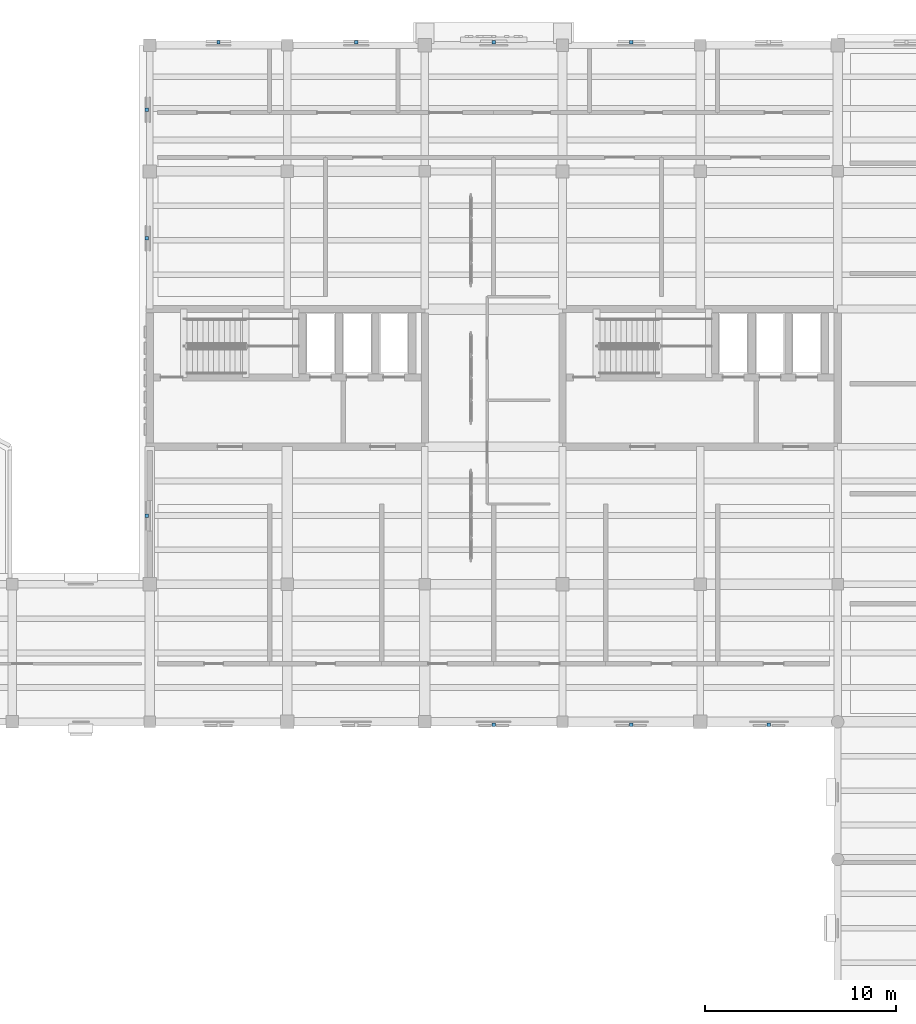
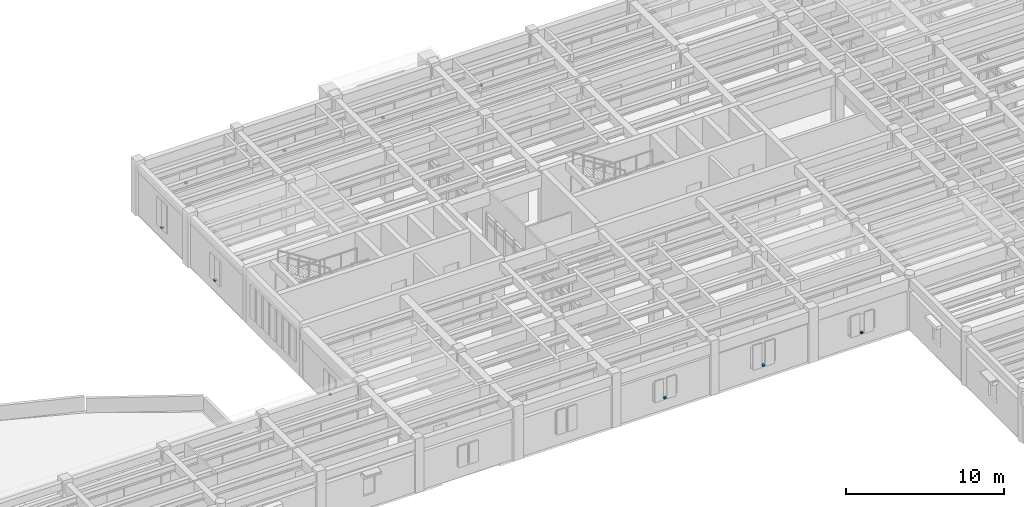
# One storey, part 57 of 66: 10 discrete accessories.
"""IFC4 building model written with IfcOpenShell, lengths in metres."""

from ifc_helpers import new_model, si_unit, direction, frame, origin, origin_2d, place, context, subcontext, project, spatial, rectangle, extrude, material, type_object, element, save


model = new_model("IFC4")

# Units and contexts
model_context = context("Model", 3, precision=1e-05, world=origin(), true_north=direction((0.0, 1.0)))
body_context = subcontext(model_context, "Body", "Model", "MODEL_VIEW")
ifc_project = project(units=[si_unit("LENGTHUNIT", "METRE"), si_unit("AREAUNIT", "SQUARE_METRE"), si_unit("VOLUMEUNIT", "CUBIC_METRE"), si_unit("PLANEANGLEUNIT", "RADIAN"), si_unit("MASSUNIT", "GRAM", prefix="KILO")], contexts=[model_context])

# Site, building, storey
site_placement = place(None, origin())
site = spatial("IfcSite", under=ifc_project, at=site_placement, CompositionType="ELEMENT")
building_placement = place(site_placement, origin())
building = spatial("IfcBuilding", under=site, at=building_placement, Name="Mithqara Police Headquarters", CompositionType="ELEMENT")
storey_placement = place(building_placement, frame((0.0, 0.0, 9.60009765625)))
storey = spatial("IfcBuildingStorey", under=building, at=storey_placement, Name="L02", CompositionType="ELEMENT", Elevation=9.60009765625)

# Discrete accessories
ifc_material = material(Name="Steel S355JR", Category="steel")
discrete_accessory_type = type_object("IfcDiscreteAccessoryType", Name="SCREEN BRACKET SS", PredefinedType="BRACKET", material=ifc_material)
for number, where, z_axis, x_axis, name in (
    (1, (112.199951171875, 114.14990234375, 0.849853515625), (0.0, 0.0, 1.0), (1.0, 0.0, 0.0), "L02 Stone Screen Support Bracket 10.1"),
    (2, (119.39990234375, 114.14990234375, 0.849853515625), (0.0, 0.0, 1.0), (1.0, 0.0, 0.0), "L02 Stone Screen Support Bracket 10.2"),
    (3, (126.60009765625, 114.14990234375, 0.849853515625), (0.0, 0.0, 1.0), (1.0, 0.0, 0.0), "L02 Stone Screen Support Bracket 10.3"),
    (4, (133.800048828125, 114.14990234375, 0.849853515625), (0.0, 0.0, 1.0), (1.0, 0.0, 0.0), "L02 Stone Screen Support Bracket 10.4"),
    (5, (108.449951171875, 103.89501953125, 0.849853515625), (0.0, 0.0, 1.0), (0.0, 1.0, 0.0), "L02 Stone Screen Support Bracket 11.1"),
    (6, (108.449951171875, 110.625, 0.849853515625), (0.0, 0.0, 1.0), (0.0, 1.0, 0.0), "L02 Stone Screen Support Bracket 11.2"),
    (7, (108.449951171875, 89.3798828125, 0.849853515625), (0.0, 0.0, 1.0), (0.0, 1.0, 0.0), "L02 Stone Screen Support Bracket 11.1"),
    (8, (126.60009765625, 78.449951171875, 0.849853515625), (0.0, 0.0, 1.0), (1.0, 0.0, 0.0), "L02 Stone Screen Support Bracket 4.3"),
    (9, (133.800048828125, 78.449951171875, 0.849853515625), (0.0, 0.0, 1.0), (1.0, 0.0, 0.0), "L02 Stone Screen Support Bracket 4.4"),
    (10, (141.0, 78.449951171875, 0.849853515625), (0.0, 0.0, 1.0), (1.0, 0.0, 0.0), "L02 Stone Screen Support Bracket 4.5"),
):
    element("IfcDiscreteAccessory", number, at=place(storey_placement, frame(where, z_axis=z_axis, x_axis=x_axis)), inside=storey, type_object=discrete_accessory_type, Name=name, PredefinedType="BRACKET", context=body_context, shape_type="SweptSolid", body=[
        extrude(rectangle(XDim=0.179931640625, YDim=0.179931640625, at=origin_2d()), origin(), (0.0, 0.0, 1.0), 0.1201171875),
    ])

save(model, "model.ifc")
